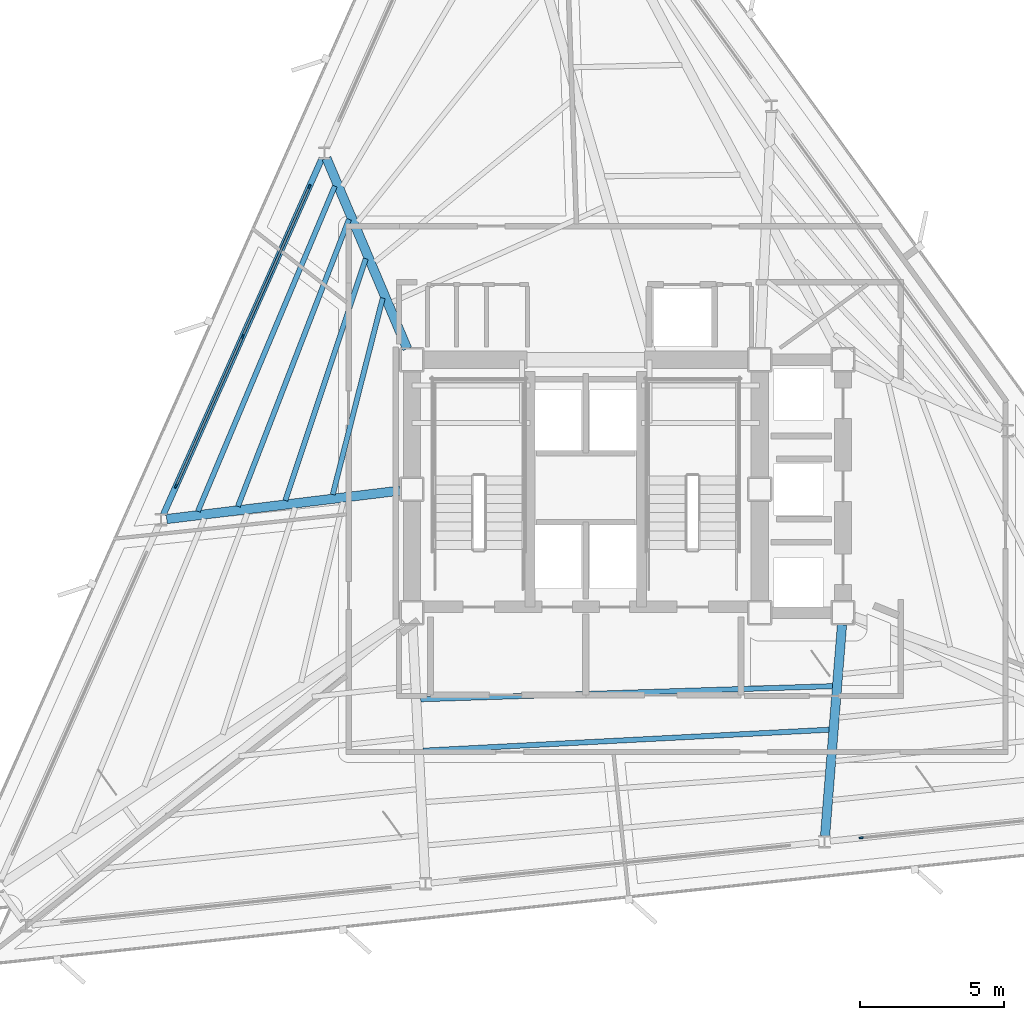
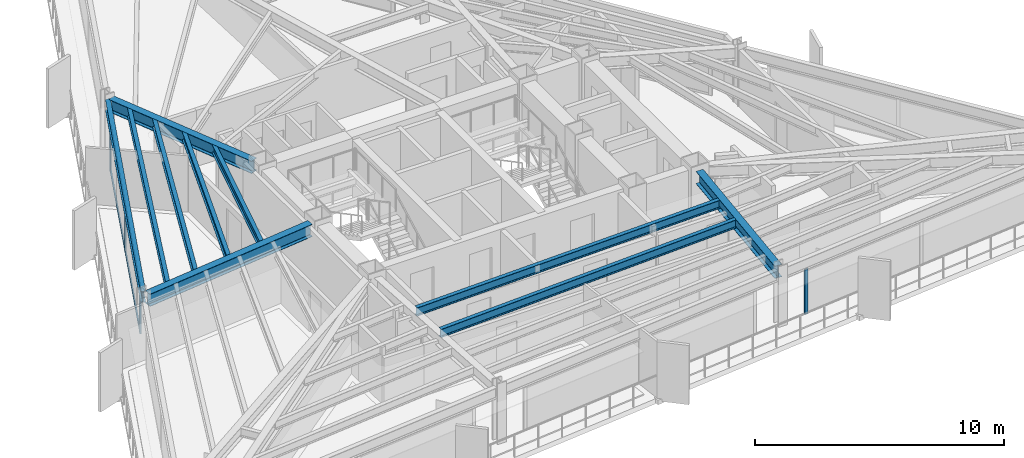
# One storey, part 3 of 12: 10 beams, 8 members, 2 elements without a shape of their own.
"""IFC4 building model written with IfcOpenShell, lengths in metres."""

import ifcopenshell
import ifcopenshell.guid

model = None  # the IFC model being written
_history = None  # IfcOwnerHistory: only IFC2X3 demands one
_inside = {}  # id of a spatial element -> (the spatial element, [elements in it])
_under = {}  # id of a project, library or spatial element -> (it, [spatial elements below it])
_declared = {}  # id of a project -> (the project, [libraries it declares])
_typed = {}  # id of a type object -> (the type object, [elements of that type])
_made_of = {}  # id of a material, layer set ... -> (it, [elements and type objects made of it])


def new_model(schema):
    """Start an empty IFC model of exactly this schema.

    Asked for "IFC4X3", IfcOpenShell would pick the latest addendum, in which some entities
    have other attributes; the version numbers below select the first issue.
    IFC2X3 requires an IfcOwnerHistory on every rooted entity: one is made here for all.
    """
    global model, _history
    if schema == "IFC4X3":
        model = ifcopenshell.file(schema_version=(4, 3, 0, 0))
    else:
        model = ifcopenshell.file(schema=schema)
    _inside.clear()
    _under.clear()
    _declared.clear()
    _typed.clear()
    _made_of.clear()
    _history = None
    if model.schema == "IFC2X3":
        org = make("IfcOrganization", Name="unknown")
        user = make(
            "IfcPersonAndOrganization",
            ThePerson=make("IfcPerson", FamilyName="unknown"),
            TheOrganization=org,
        )
        app = make(
            "IfcApplication",
            ApplicationDeveloper=org,
            Version="unknown",
            ApplicationFullName="unknown",
            ApplicationIdentifier="unknown",
        )
        _history = make(
            "IfcOwnerHistory",
            OwningUser=user,
            OwningApplication=app,
            ChangeAction="ADDED",
            CreationDate=0,
        )
    return model


def make(cls, **values):
    """One entity of the class cls with the attributes given. An attribute that is None is left unset."""
    return model.create_entity(
        cls, **{name: value for name, value in values.items() if value is not None}
    )


def rooted(cls, **values):
    """An entity with a GlobalId (a new one), such as an element, a storey or a relation."""
    return make(cls, GlobalId=ifcopenshell.guid.new(), OwnerHistory=_history, **values)


def si_unit(unit_type, name, prefix=None):
    """IfcSIUnit, for example si_unit("LENGTHUNIT", "METRE", prefix="MILLI")."""
    return make("IfcSIUnit", UnitType=unit_type, Prefix=prefix, Name=name)


def assignment(units):
    """IfcUnitAssignment: the units of a project."""
    return None if units is None else make("IfcUnitAssignment", Units=units)


def point(xyz):
    """IfcCartesianPoint."""
    return None if xyz is None else make("IfcCartesianPoint", Coordinates=xyz)


def direction(xyz):
    """IfcDirection."""
    return None if xyz is None else make("IfcDirection", DirectionRatios=xyz)


def frame(location, z_axis=None, x_axis=None):
    """IfcAxis2Placement3D, a coordinate frame: its origin and axes. An axis left out is left unset."""
    return make(
        "IfcAxis2Placement3D",
        Location=point(location),
        Axis=direction(z_axis),
        RefDirection=direction(x_axis),
    )


def frame_2d(location, x_axis=None):
    """IfcAxis2Placement2D, a coordinate frame in the plane: its origin and x axis."""
    return make(
        "IfcAxis2Placement2D", Location=point(location), RefDirection=direction(x_axis)
    )


def origin():
    """The frame at (0, 0, 0) with its axes left unset."""
    return frame((0.0, 0.0, 0.0))


def origin_2d():
    """The frame at (0, 0) in the plane with its x axis left unset."""
    return frame_2d((0.0, 0.0))


def place(relative_to, where):
    """IfcLocalPlacement: puts the frame where relative to a parent placement (None: the world)."""
    return make(
        "IfcLocalPlacement", PlacementRelTo=relative_to, RelativePlacement=where
    )


def context(
    kind, dimensions, precision=None, world=None, true_north=None, identifier=None
):
    """IfcGeometricRepresentationContext, for example the 3D "Model" context."""
    return make(
        "IfcGeometricRepresentationContext",
        ContextIdentifier=identifier,
        ContextType=kind,
        CoordinateSpaceDimension=dimensions,
        Precision=precision,
        WorldCoordinateSystem=world,
        TrueNorth=true_north,
    )


def subcontext(parent, identifier, kind, view, scale=None):
    """IfcGeometricRepresentationSubContext, for example "Body" below "Model"."""
    return make(
        "IfcGeometricRepresentationSubContext",
        ContextIdentifier=identifier,
        ContextType=kind,
        ParentContext=parent,
        TargetScale=scale,
        TargetView=view,
    )


def project(units=None, contexts=None):
    """IfcProject with its units and contexts."""
    return rooted(
        "IfcProject",
        Name="project",
        RepresentationContexts=contexts,
        UnitsInContext=assignment(units),
    )


def spatial(cls, under=None, at=None, **own):
    """A site, building, storey or space (cls), placed at a placement, below another one or the project."""
    s = rooted(cls, ObjectPlacement=at, **own)
    if under is not None:
        _under.setdefault(under.id(), (under, []))[1].append(s)
    return s


def profile(cls, at=None, kind="AREA", **sizes):
    """A parametric profile (cls). Its sizes go by their IFC names, for example OverallWidth=200.0."""
    return make(cls, ProfileType=kind, Position=at, **sizes)


def rectangle(**sizes):
    """IfcRectangleProfileDef."""
    return profile("IfcRectangleProfileDef", **sizes)


def i_section(**sizes):
    """IfcIShapeProfileDef."""
    return profile("IfcIShapeProfileDef", **sizes)


def extrude(swept, where, along, depth):
    """IfcExtrudedAreaSolid: the profile swept, set in the frame where, extruded along a direction by depth."""
    return make(
        "IfcExtrudedAreaSolid",
        SweptArea=swept,
        Position=where,
        ExtrudedDirection=direction(along),
        Depth=depth,
    )


def shape(context_of_items, identifier, shape_type, items):
    """IfcShapeRepresentation: the items that make up one representation, for example the "Body"."""
    return make(
        "IfcShapeRepresentation",
        ContextOfItems=context_of_items,
        RepresentationIdentifier=identifier,
        RepresentationType=shape_type,
        Items=items,
    )


def material(Name=None, Category=None):
    """IfcMaterial."""
    return make("IfcMaterial", Name=Name, Category=Category)


def layer(
    of_material, thickness, ventilated=None, Name=None, Category=None, Priority=None
):
    """IfcMaterialLayer: one layer of a wall or slab, of a material (None: an air gap)."""
    return make(
        "IfcMaterialLayer",
        Material=of_material,
        LayerThickness=thickness,
        IsVentilated=ventilated,
        Name=Name,
        Category=Category,
        Priority=Priority,
    )


def layer_set(layers, Name=None):
    """IfcMaterialLayerSet."""
    return make("IfcMaterialLayerSet", MaterialLayers=layers, LayerSetName=Name)


def material_profile(
    of_material, cross_section, Name=None, Category=None, Priority=None
):
    """IfcMaterialProfile: a cross section and its material."""
    return make(
        "IfcMaterialProfile",
        Name=Name,
        Material=of_material,
        Profile=cross_section,
        Priority=Priority,
        Category=Category,
    )


def profile_set(profiles, Name=None, composite=None):
    """IfcMaterialProfileSet."""
    return make(
        "IfcMaterialProfileSet",
        Name=Name,
        MaterialProfiles=profiles,
        CompositeProfile=composite,
    )


def made_of(thing, what):
    """Note that an element or type object is made of a material, layer set ...; save() writes the relation."""
    if what is not None:
        _made_of.setdefault(what.id(), (what, []))[1].append(thing)
    return thing


def type_object(cls, material=None, **own):
    """A type object (cls), such as IfcWallType, which elements share."""
    return made_of(rooted(cls, **own), material)


def element(
    cls,
    number,
    at=None,
    inside=None,
    cuts=None,
    type_object=None,
    material=None,
    context=None,
    identifier="Body",
    shape_type=None,
    held_by="IfcProductDefinitionShape",
    body=None,
    shapes=None,
    **own,
):
    """One element of the class cls, such as IfcWall. Its Tag is "e" and its number.

    at: its placement. inside: the storey or other place that contains it. cuts: it is an
    opening in that element (IfcRelVoidsElement). A single representation is given by context,
    identifier, shape_type and body (its items); several are given by shapes. held_by: the class
    of the entity that holds the representations. save() writes the other relations.
    """
    e = rooted(cls, Tag="e%d" % number, ObjectPlacement=at, **own)
    if body is not None:
        shapes = [shape(context, identifier, shape_type, body)]
    if shapes is not None:
        e.Representation = make(held_by, Representations=shapes)
    if inside is not None:
        _inside.setdefault(inside.id(), (inside, []))[1].append(e)
    if cuts is not None:
        rooted(
            "IfcRelVoidsElement", RelatingBuildingElement=cuts, RelatedOpeningElement=e
        )
    if type_object is not None:
        _typed.setdefault(type_object.id(), (type_object, []))[1].append(e)
    return made_of(e, material)


def aggregate(whole, parts):
    """IfcRelAggregates: a whole, such as a stair, and the parts it consists of."""
    return rooted("IfcRelAggregates", RelatingObject=whole, RelatedObjects=parts)


def save(model, path):
    """Write the relations noted so far, then the file.

    IfcRelAggregates (storeys below a building ...), IfcRelContainedInSpatialStructure (elements
    in a storey), IfcRelDefinesByType, IfcRelAssociatesMaterial and IfcRelDeclares: one each for
    every whole, place, type object, material and project.
    """
    for whole, parts in _under.values():
        aggregate(whole, parts)
    for where, things in _inside.values():
        rooted(
            "IfcRelContainedInSpatialStructure",
            RelatedElements=things,
            RelatingStructure=where,
        )
    for kind, things in _typed.values():
        rooted("IfcRelDefinesByType", RelatedObjects=things, RelatingType=kind)
    for what, things in _made_of.values():
        rooted("IfcRelAssociatesMaterial", RelatedObjects=things, RelatingMaterial=what)
    for by, libraries in _declared.values():
        rooted("IfcRelDeclares", RelatingContext=by, RelatedDefinitions=libraries)
    model.write(path)


model = new_model("IFC4")

# Units and contexts
model_context = context("Model", 3, precision=1e-05, world=origin(), true_north=direction((0.0, 1.0)))
body_context = subcontext(model_context, "Body", "Model", "MODEL_VIEW")
ifc_project = project(units=[si_unit("LENGTHUNIT", "METRE"), si_unit("AREAUNIT", "SQUARE_METRE"), si_unit("VOLUMEUNIT", "CUBIC_METRE"), si_unit("PLANEANGLEUNIT", "RADIAN"), si_unit("MASSUNIT", "GRAM", prefix="KILO")], contexts=[model_context])

# Site, building, storey
site_placement = place(None, origin())
site = spatial("IfcSite", under=ifc_project, at=site_placement, CompositionType="ELEMENT")
building_placement = place(site_placement, origin())
building = spatial("IfcBuilding", under=site, at=building_placement, Name="Rocaltana Carrier Exchange", CompositionType="ELEMENT")
storey_placement = place(building_placement, frame((0.0, 0.0, 107.679931640625)))
storey = spatial("IfcBuildingStorey", under=building, at=storey_placement, Name="L33", CompositionType="ELEMENT", Elevation=107.679931640625)

# Curtain wall, members
ifc_material_1 = material(Name="Aluminium 6063-T6", Category="aluminium")
ifc_layer = layer(ifc_material_1, 0.14990234375)
ifc_layer_set = layer_set([ifc_layer], Name="Aluminium 6063-T6")
curtain_wall_type = type_object("IfcCurtainWallType", Name="Mid-Tower Unitised Curtain Wall CW-03", PredefinedType="NOTDEFINED", material=ifc_layer_set)
curtain_wall_1_placement = place(storey_placement, origin())
curtain_wall_1 = element("IfcCurtainWall", 1, at=curtain_wall_1_placement, inside=storey, type_object=curtain_wall_type, Name="L33 CW-03 Run CW-L33-F2S2", PredefinedType="NOTDEFINED")
ifc_material_2 = material(Name="Aluminium 6063-T6", Category="aluminium")
ifc_material_profile_1 = material_profile(ifc_material_2, rectangle(XDim=0.06005859375, YDim=0.14990234375, at=origin_2d()), Name="AL-60X150")
ifc_profile_set_1 = profile_set([ifc_material_profile_1], Name="Aluminium 6063-T6")
member_type_1 = type_object("IfcMemberType", Name="CW-03 Mullion AL-60X150", PredefinedType="MULLION", material=ifc_profile_set_1)
member_1_placement = place(storey_placement, frame((-9.61865234375, 10.525634765625, 0.0), z_axis=(0.0, 0.0, 1.0), x_axis=(0.913542348315, -0.406743626669, 0.0)))
member_1 = element("IfcMember", 2, at=member_1_placement, type_object=member_type_1, Name="CW-03 mullion 1", PredefinedType="MULLION", context=body_context, shape_type="SweptSolid", body=[
    extrude(rectangle(XDim=0.06005859375, YDim=0.14990234375, at=origin_2d()), origin(), (0.0, 0.0, 1.0), 2.218017578125),
])
member_2_placement = place(storey_placement, frame((-11.9384765625, 5.3154296875, 0.0), z_axis=(0.0, 0.0, 1.0), x_axis=(0.913542348315, -0.406743626669, 0.0)))
member_2 = element("IfcMember", 3, at=member_2_placement, type_object=member_type_1, Name="CW-03 mullion 2", PredefinedType="MULLION", context=body_context, shape_type="SweptSolid", body=[
    extrude(rectangle(XDim=0.06005859375, YDim=0.14990234375, at=origin_2d()), origin(), (0.0, 0.0, 1.0), 2.218017578125),
])
member_3_placement = place(storey_placement, frame((-14.25830078125, 0.105224609375, 0.0), z_axis=(0.0, 0.0, 1.0), x_axis=(0.913542348315, -0.406743626669, 0.0)))
member_3 = element("IfcMember", 4, at=member_3_placement, type_object=member_type_1, Name="CW-03 mullion 3", PredefinedType="MULLION", context=body_context, shape_type="SweptSolid", body=[
    extrude(rectangle(XDim=0.06005859375, YDim=0.14990234375, at=origin_2d()), origin(), (0.0, 0.0, 1.0), 2.218017578125),
])

# Curtain wall, member
curtain_wall_2_placement = place(storey_placement, origin())
curtain_wall_2 = element("IfcCurtainWall", 5, at=curtain_wall_2_placement, inside=storey, type_object=curtain_wall_type, Name="L33 CW-03 Run CW-L33-F3S3", PredefinedType="NOTDEFINED")
member_4_placement = place(storey_placement, frame((9.584228515625, -12.1328125, 0.0), z_axis=(0.0, 0.0, 1.0), x_axis=(-0.104521806959, 0.994522594952, 0.0)))
member_4 = element("IfcMember", 6, at=member_4_placement, type_object=member_type_1, Name="CW-03 mullion 1", PredefinedType="MULLION", context=body_context, shape_type="SweptSolid", body=[
    extrude(rectangle(XDim=0.06005859375, YDim=0.14990234375, at=origin_2d()), origin(), (0.0, 0.0, 1.0), 2.218017578125),
])
aggregate(curtain_wall_2, [member_4])

# Member
ifc_material_3 = material(Name="Aluminium 6063-T6", Category="aluminium")
ifc_material_profile_2 = material_profile(ifc_material_3, rectangle(XDim=0.06005859375, YDim=0.14990234375, at=origin_2d()), Name="AL-60X150")
ifc_profile_set_2 = profile_set([ifc_material_profile_2], Name="Aluminium 6063-T6")
member_type_2 = type_object("IfcMemberType", Name="CW-03 Transom AL-60X150", PredefinedType="USERDEFINED", material=ifc_profile_set_2)
member_5_placement = place(storey_placement, frame((-9.630859375, 10.498291015625, 0.030029296875), z_axis=(-0.406740464784, -0.913543756099, 0.0), x_axis=(0.913543756099, -0.406740464784, 0.0)))
member_5 = element("IfcMember", 7, at=member_5_placement, type_object=member_type_2, Name="CW-03 transom 1.1", ObjectType="TRANSOM", PredefinedType="USERDEFINED", context=body_context, shape_type="SweptSolid", body=[
    extrude(rectangle(XDim=0.06005859375, YDim=0.14990234375, at=origin_2d()), origin(), (0.0, 0.0, 1.0), 5.643310546875),
])

member_6_placement = place(storey_placement, frame((-9.630859375, 10.498291015625, 2.18798828125), z_axis=(-0.406740464784, -0.913543756099, 0.0), x_axis=(0.913543756099, -0.406740464784, 0.0)))
member_6 = element("IfcMember", 8, at=member_6_placement, type_object=member_type_2, Name="CW-03 transom 1.2", ObjectType="TRANSOM", PredefinedType="USERDEFINED", context=body_context, shape_type="SweptSolid", body=[
    extrude(rectangle(XDim=0.06005859375, YDim=0.14990234375, at=origin_2d()), origin(), (0.0, 0.0, 1.0), 5.643310546875),
])

member_7_placement = place(storey_placement, frame((-11.95068359375, 5.287841796875, 0.030029296875), z_axis=(-0.406756540093, -0.91353659866, 0.0), x_axis=(0.91353659866, -0.406756540093, 0.0)))
member_7 = element("IfcMember", 9, at=member_7_placement, type_object=member_type_2, Name="CW-03 transom 2.1", ObjectType="TRANSOM", PredefinedType="USERDEFINED", context=body_context, shape_type="SweptSolid", body=[
    extrude(rectangle(XDim=0.06005859375, YDim=0.14990234375, at=origin_2d()), origin(), (0.0, 0.0, 1.0), 5.643310546875),
])

member_8_placement = place(storey_placement, frame((-11.95068359375, 5.287841796875, 2.18798828125), z_axis=(-0.406756540093, -0.91353659866, 0.0), x_axis=(0.91353659866, -0.406756540093, 0.0)))
member_8 = element("IfcMember", 10, at=member_8_placement, type_object=member_type_2, Name="CW-03 transom 2.2", ObjectType="TRANSOM", PredefinedType="USERDEFINED", context=body_context, shape_type="SweptSolid", body=[
    extrude(rectangle(XDim=0.06005859375, YDim=0.14990234375, at=origin_2d()), origin(), (0.0, 0.0, 1.0), 5.643310546875),
])

aggregate(curtain_wall_1, [member_1, member_2, member_3, member_5, member_6, member_7, member_8])

# Beams
ifc_material_4 = material(Name="Steel S355", Category="steel")
ifc_material_profile_3 = material_profile(ifc_material_4, i_section(OverallWidth=0.179931640625, OverallDepth=0.4130859375, WebThickness=0.009765625, FlangeThickness=0.01611328125, FilletRadius=0.012939453125, at=origin_2d()), Name="W16X50")
ifc_profile_set_3 = profile_set([ifc_material_profile_3], Name="Steel S355")
beam_type_1 = type_object("IfcBeamType", Name="Floor Joist W16X50", PredefinedType="JOIST", material=ifc_profile_set_3)
beam_1_placement = place(storey_placement, frame((-7.06396484375, 6.651123046875, 2.58154296875), z_axis=(-0.246610770256, -0.96911461035, 0.0), x_axis=(0.96911461035, -0.246610770256, 0.0)))
element("IfcBeam", 11, at=beam_1_placement, inside=storey, type_object=beam_type_1, Name="FJ-L33-06-1", PredefinedType="JOIST", context=body_context, shape_type="SweptSolid", body=[
    extrude(i_section(OverallWidth=0.179931640625, OverallDepth=0.4130859375, WebThickness=0.009765625, FlangeThickness=0.01611328125, FilletRadius=0.012939453125, at=origin_2d()), origin(), (0.0, 0.0, 1.0), 7.05859375),
])
beam_2_placement = place(storey_placement, frame((-7.65380859375, 8.021484375, 2.58154296875), z_axis=(-0.315534018632, -0.948914265403, 0.0), x_axis=(0.948914265403, -0.315534018632, 0.0)))
element("IfcBeam", 12, at=beam_2_placement, inside=storey, type_object=beam_type_1, Name="FJ-L33-06-2", PredefinedType="JOIST", context=body_context, shape_type="SweptSolid", body=[
    extrude(i_section(OverallWidth=0.179931640625, OverallDepth=0.4130859375, WebThickness=0.009765625, FlangeThickness=0.01611328125, FilletRadius=0.012939453125, at=origin_2d()), origin(), (0.0, 0.0, 1.0), 8.869384765625),
])
beam_3_placement = place(storey_placement, frame((-8.239990234375, 9.390869140625, 2.58154296875), z_axis=(-0.360736399808, -0.93266781324, 0.0), x_axis=(0.93266781324, -0.360736399808, 0.0)))
element("IfcBeam", 13, at=beam_3_placement, inside=storey, type_object=beam_type_1, Name="FJ-L33-06-3", PredefinedType="JOIST", context=body_context, shape_type="SweptSolid", body=[
    extrude(i_section(OverallWidth=0.179931640625, OverallDepth=0.4130859375, WebThickness=0.009765625, FlangeThickness=0.01611328125, FilletRadius=0.012939453125, at=origin_2d()), origin(), (0.0, 0.0, 1.0), 10.71142578125),
])
beam_4_placement = place(storey_placement, frame((-8.73193359375, 10.543701171875, 2.58154296875), z_axis=(-0.388065001022, -0.92163200627, 0.0), x_axis=(0.92163200627, -0.388065001022, 0.0)))
element("IfcBeam", 14, at=beam_4_placement, inside=storey, type_object=beam_type_1, Name="FJ-L33-06-4", PredefinedType="JOIST", context=body_context, shape_type="SweptSolid", body=[
    extrude(i_section(OverallWidth=0.179931640625, OverallDepth=0.4130859375, WebThickness=0.009765625, FlangeThickness=0.01611328125, FilletRadius=0.012939453125, at=origin_2d()), origin(), (0.0, 0.0, 1.0), 12.27734375),
])
beam_5_placement = place(storey_placement, frame((-5.743408203125, -7.3115234375, 2.58154296875), z_axis=(0.999491466451, 0.031887434705, 0.0), x_axis=(-0.031887434705, 0.999491466451, 0.0)))
element("IfcBeam", 15, at=beam_5_placement, inside=storey, type_object=beam_type_1, Name="FJ-L33-10-1", PredefinedType="JOIST", context=body_context, shape_type="SweptSolid", body=[
    extrude(i_section(OverallWidth=0.179931640625, OverallDepth=0.4130859375, WebThickness=0.009765625, FlangeThickness=0.01611328125, FilletRadius=0.012939453125, at=origin_2d()), origin(), (0.0, 0.0, 1.0), 14.34033203125),
])
beam_6_placement = place(storey_placement, frame((-5.654052734375, -9.099609375, 2.58154296875), z_axis=(0.998672130868, 0.051516745125, 0.0), x_axis=(-0.051516745125, 0.998672130868, 0.0)))
element("IfcBeam", 16, at=beam_6_placement, inside=storey, type_object=beam_type_1, Name="FJ-L33-10-2", PredefinedType="JOIST", context=body_context, shape_type="SweptSolid", body=[
    extrude(i_section(OverallWidth=0.179931640625, OverallDepth=0.4130859375, WebThickness=0.009765625, FlangeThickness=0.01611328125, FilletRadius=0.012939453125, at=origin_2d()), origin(), (0.0, 0.0, 1.0), 14.141357421875),
])
ifc_material_5 = material(Name="Steel S355", Category="steel")
ifc_material_profile_4 = material_profile(ifc_material_5, i_section(OverallWidth=0.323974609375, OverallDepth=0.611083984375, WebThickness=0.0126953125, FlangeThickness=0.01904296875, FilletRadius=0.01611328125, at=origin_2d()), Name="W24X104")
ifc_profile_set_4 = profile_set([ifc_material_profile_4], Name="Steel S355")
beam_type_2 = type_object("IfcBeamType", Name="Radial Girder W24X104", PredefinedType="BEAM", material=ifc_profile_set_4)
beam_7_placement = place(storey_placement, frame((-6.212646484375, 4.884033203125, 2.482666015625), z_axis=(-0.39010127794, 0.920771954911, 0.0), x_axis=(-0.920771954911, -0.39010127794, 0.0)))
element("IfcBeam", 17, at=beam_7_placement, inside=storey, type_object=beam_type_2, Name="RG-L33-06", PredefinedType="BEAM", context=body_context, shape_type="SweptSolid", body=[
    extrude(i_section(OverallWidth=0.323974609375, OverallDepth=0.611083984375, WebThickness=0.0126953125, FlangeThickness=0.01904296875, FilletRadius=0.01611328125, at=origin_2d()), origin(), (0.0, 0.0, 1.0), 7.198974609375),
])
beam_8_placement = place(storey_placement, frame((-6.4638671875, -0.050537109375, 2.482666015625), z_axis=(-0.99265077601, -0.121014201177, 0.0), x_axis=(0.121014201177, -0.99265077601, 0.0)))
element("IfcBeam", 18, at=beam_8_placement, inside=storey, type_object=beam_type_2, Name="RG-L33-07", PredefinedType="BEAM", context=body_context, shape_type="SweptSolid", body=[
    extrude(i_section(OverallWidth=0.323974609375, OverallDepth=0.611083984375, WebThickness=0.0126953125, FlangeThickness=0.01904296875, FilletRadius=0.01611328125, at=origin_2d()), origin(), (0.0, 0.0, 1.0), 8.1787109375),
])
beam_9_placement = place(storey_placement, frame((8.916748046875, -4.7158203125, 2.482666015625), z_axis=(-0.079955676703, -0.996798419824, 0.0), x_axis=(0.996798419824, -0.079955676703, 0.0)))
element("IfcBeam", 19, at=beam_9_placement, inside=storey, type_object=beam_type_2, Name="RG-L33-11", PredefinedType="BEAM", context=body_context, shape_type="SweptSolid", body=[
    extrude(i_section(OverallWidth=0.323974609375, OverallDepth=0.611083984375, WebThickness=0.0126953125, FlangeThickness=0.01904296875, FilletRadius=0.01611328125, at=origin_2d()), origin(), (0.0, 0.0, 1.0), 7.377197265625),
])
ifc_material_6 = material(Name="Steel S355", Category="steel")
ifc_material_profile_5 = material_profile(ifc_material_6, i_section(OverallWidth=0.2119140625, OverallDepth=0.5439453125, WebThickness=0.01318359375, FlangeThickness=0.021240234375, FilletRadius=0.014892578125, at=origin_2d()), Name="W21X83")
ifc_profile_set_5 = profile_set([ifc_material_profile_5], Name="Steel S355")
beam_type_3 = type_object("IfcBeamType", Name="Spandrel Edge Beam W21X83", PredefinedType="SPANDREL", material=ifc_profile_set_5)
beam_10_placement = place(storey_placement, frame((-9.1787109375, 11.513916015625, 2.51611328125), z_axis=(-0.406747642326, -0.913540560382, 0.0), x_axis=(0.913540560382, -0.406747642326, 0.0)))
element("IfcBeam", 20, at=beam_10_placement, inside=storey, type_object=beam_type_3, Name="SP-L33-06", PredefinedType="SPANDREL", context=body_context, shape_type="SweptSolid", body=[
    extrude(i_section(OverallWidth=0.2119140625, OverallDepth=0.5439453125, WebThickness=0.01318359375, FlangeThickness=0.021240234375, FilletRadius=0.014892578125, at=origin_2d()), origin(), (0.0, 0.0, 1.0), 13.570556640625),
])

save(model, "model.ifc")
